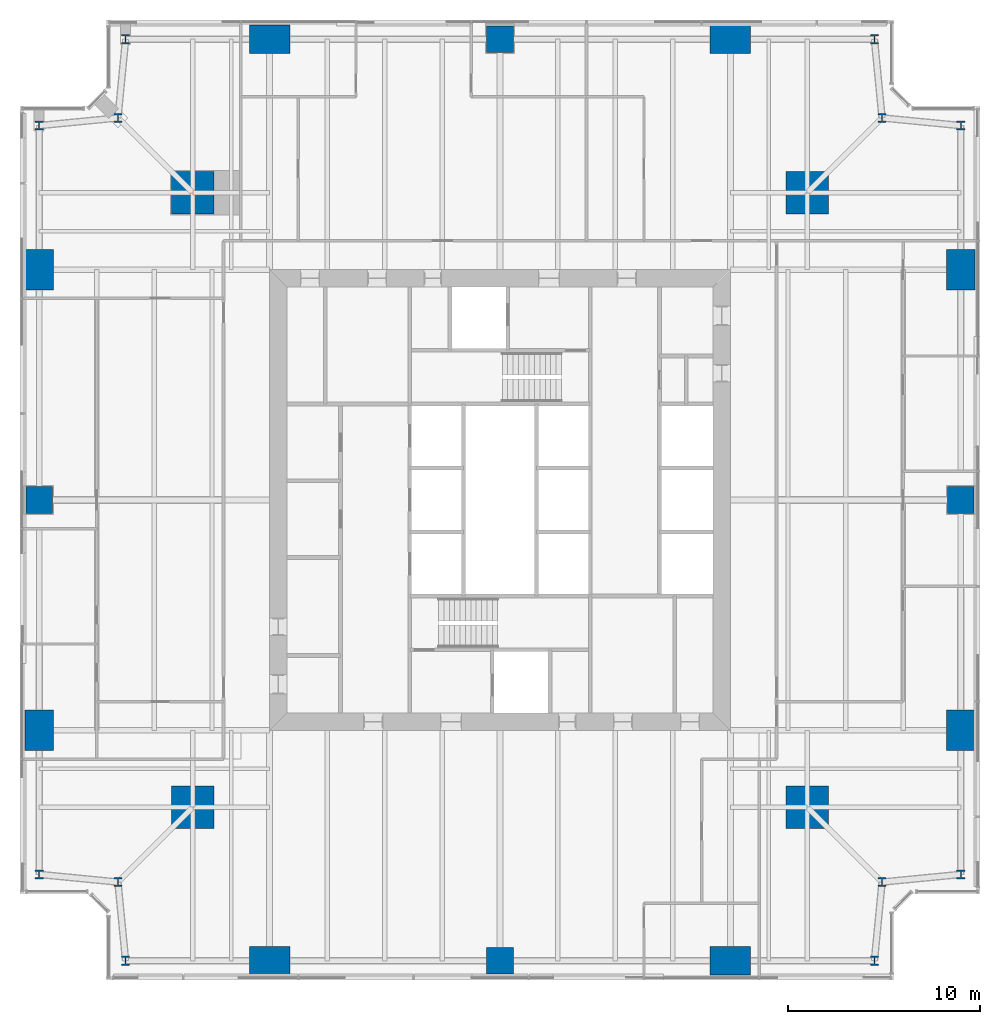
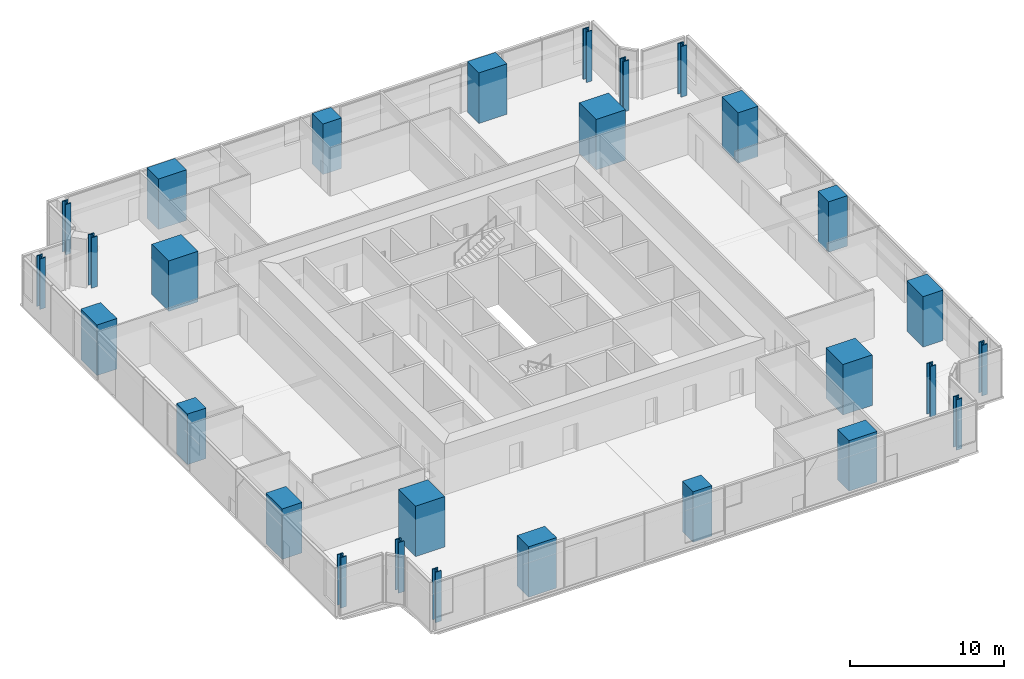
# One storey, part 1 of 14: 28 columns.
"""IFC4 building model written with IfcOpenShell, lengths in metres."""

from ifc_helpers import new_model, si_unit, direction, frame, origin, origin_2d, place, context, subcontext, project, spatial, rectangle, i_section, extrude, material, material_profile, profile_set, type_object, element, save


model = new_model("IFC4")

# Units and contexts
model_context = context("Model", 3, precision=1e-05, world=origin(), true_north=direction((0.0, 1.0)))
body_context = subcontext(model_context, "Body", "Model", "MODEL_VIEW")
ifc_project = project(units=[si_unit("LENGTHUNIT", "METRE"), si_unit("AREAUNIT", "SQUARE_METRE"), si_unit("VOLUMEUNIT", "CUBIC_METRE"), si_unit("PLANEANGLEUNIT", "RADIAN"), si_unit("MASSUNIT", "GRAM", prefix="KILO")], contexts=[model_context])

# Site, building, storey
site_placement = place(None, origin())
site = spatial("IfcSite", under=ifc_project, at=site_placement, CompositionType="ELEMENT")
building_placement = place(site_placement, origin())
building = spatial("IfcBuilding", under=site, at=building_placement, Name="Fenwick Lantern Interchange", CompositionType="ELEMENT")
storey_placement = place(building_placement, frame((0.0, 0.0, 118.39990234375)))
storey = spatial("IfcBuildingStorey", under=building, at=storey_placement, Name="L27", CompositionType="ELEMENT", Elevation=118.39990234375)

# Columns
ifc_material_1 = material(Name="Concrete f'c 70 MPa", Category="concrete")
ifc_material_profile_1 = material_profile(ifc_material_1, rectangle(XDim=2.199951171875, YDim=2.199951171875, at=origin_2d()), Name="RC2200X2200")
ifc_profile_set_1 = profile_set([ifc_material_profile_1], Name="Concrete f'c 70 MPa")
column_type_1 = type_object("IfcColumnType", Name="MEGA COLUMN RC2200X2200", PredefinedType="COLUMN", material=ifc_profile_set_1)
for number, where, z_axis, x_axis, name in (
    (1, (9.0, 9.0, 0.0), (0.0, 0.0, 1.0), (1.0, 0.0, 0.0), "L27/M1"),
    (2, (41.0, 9.0, 0.0), (0.0, 0.0, 1.0), (1.0, 0.0, 0.0), "L27/M2"),
    (3, (41.0, 41.0, 0.0), (0.0, 0.0, 1.0), (1.0, 0.0, 0.0), "L27/M3"),
    (4, (9.0, 41.0, 0.0), (0.0, 0.0, 1.0), (1.0, 0.0, 0.0), "L27/M4"),
):
    element("IfcColumn", number, at=place(storey_placement, frame(where, z_axis=z_axis, x_axis=x_axis)), inside=storey, type_object=column_type_1, Name=name, PredefinedType="COLUMN", context=body_context, shape_type="SweptSolid", body=[
        extrude(rectangle(XDim=2.199951171875, YDim=2.199951171875, at=origin_2d()), origin(), (0.0, 0.0, 1.0), 4.0),
    ])
ifc_material_profile_2 = material_profile(ifc_material_1, rectangle(XDim=1.39990234375, YDim=1.39990234375, at=origin_2d()), Name="RC1400X1400")
ifc_profile_set_2 = profile_set([ifc_material_profile_2], Name="Concrete f'c 70 MPa")
column_type_2 = type_object("IfcColumnType", Name="PERIMETER COLUMN RC1400X1400", PredefinedType="COLUMN", material=ifc_profile_set_2)
for number, where, z_axis, x_axis, name in (
    (5, (25.0, 1.0, 0.0), (0.0, 0.0, 1.0), (1.0, 0.0, 0.0), "L27/CS3"),
    (6, (49.0, 25.0, 0.0), (0.0, 0.0, 1.0), (1.0, 0.0, 0.0), "L27/CE3"),
    (7, (25.0, 49.0, 0.0), (0.0, 0.0, 1.0), (1.0, 0.0, 0.0), "L27/CN3"),
    (8, (1.0, 25.0, 0.0), (0.0, 0.0, 1.0), (1.0, 0.0, 0.0), "L27/CW3"),
):
    element("IfcColumn", number, at=place(storey_placement, frame(where, z_axis=z_axis, x_axis=x_axis)), inside=storey, type_object=column_type_2, Name=name, PredefinedType="COLUMN", context=body_context, shape_type="SweptSolid", body=[
        extrude(rectangle(XDim=1.39990234375, YDim=1.39990234375, at=origin_2d()), origin(), (0.0, 0.0, 1.0), 4.0),
    ])
ifc_material_profile_3 = material_profile(ifc_material_1, rectangle(XDim=1.5, YDim=2.10009765625, at=origin_2d()), Name="RC1500X2100")
ifc_profile_set_3 = profile_set([ifc_material_profile_3], Name="Concrete f'c 70 MPa")
column_type_3 = type_object("IfcColumnType", Name="PERIMETER COLUMN RC1500X2100", PredefinedType="COLUMN", material=ifc_profile_set_3)
for number, where, z_axis, x_axis, name in (
    (9, (49.0, 13.0, 0.0), (0.0, 0.0, 1.0), (1.0, 0.0, 0.0), "L27/CE2"),
    (10, (49.0, 37.0, 0.0), (0.0, 0.0, 1.0), (1.0, 0.0, 0.0), "L27/CE4"),
    (11, (1.0, 37.0, 0.0), (0.0, 0.0, 1.0), (1.0, 0.0, 0.0), "L27/CW2"),
    (12, (1.0, 13.0, 0.0), (0.0, 0.0, 1.0), (1.0, 0.0, 0.0), "L27/CW4"),
):
    element("IfcColumn", number, at=place(storey_placement, frame(where, z_axis=z_axis, x_axis=x_axis)), inside=storey, type_object=column_type_3, Name=name, PredefinedType="COLUMN", context=body_context, shape_type="SweptSolid", body=[
        extrude(rectangle(XDim=1.5, YDim=2.10009765625, at=origin_2d()), origin(), (0.0, 0.0, 1.0), 4.0),
    ])
ifc_material_profile_4 = material_profile(ifc_material_1, rectangle(XDim=2.10009765625, YDim=1.5, at=origin_2d()), Name="RC2100X1500")
ifc_profile_set_4 = profile_set([ifc_material_profile_4], Name="Concrete f'c 70 MPa")
column_type_4 = type_object("IfcColumnType", Name="PERIMETER COLUMN RC2100X1500", PredefinedType="COLUMN", material=ifc_profile_set_4)
for number, where, z_axis, x_axis, name in (
    (13, (13.0, 1.0, 0.0), (0.0, 0.0, 1.0), (1.0, 0.0, 0.0), "L27/CS2"),
    (14, (37.0, 1.0, 0.0), (0.0, 0.0, 1.0), (1.0, 0.0, 0.0), "L27/CS4"),
    (15, (37.0, 49.0, 0.0), (0.0, 0.0, 1.0), (1.0, 0.0, 0.0), "L27/CN2"),
    (16, (13.0, 49.0, 0.0), (0.0, 0.0, 1.0), (1.0, 0.0, 0.0), "L27/CN4"),
):
    element("IfcColumn", number, at=place(storey_placement, frame(where, z_axis=z_axis, x_axis=x_axis)), inside=storey, type_object=column_type_4, Name=name, PredefinedType="COLUMN", context=body_context, shape_type="SweptSolid", body=[
        extrude(rectangle(XDim=2.10009765625, YDim=1.5, at=origin_2d()), origin(), (0.0, 0.0, 1.0), 4.0),
    ])
ifc_material_2 = material(Name="Steel ASTM A992 Grade 50", Category="steel")
ifc_material_profile_5 = material_profile(ifc_material_2, i_section(OverallWidth=0.424072265625, OverallDepth=0.47509765625, WebThickness=0.0478515625, FlangeThickness=0.0771484375, at=origin_2d()), Name="W14X426")
ifc_profile_set_5 = profile_set([ifc_material_profile_5], Name="Steel ASTM A992 Grade 50")
column_type_5 = type_object("IfcColumnType", Name="PERIMETER COLUMN W14X426", PredefinedType="COLUMN", material=ifc_profile_set_5)
for number, where, z_axis, x_axis, name in (
    (17, (5.5, 1.0, 0.0), (0.0, 0.0, 1.0), (1.0, 0.0, 0.0), "L27/CS1"),
    (18, (44.5, 1.0, 0.0), (0.0, 0.0, 1.0), (1.0, 0.0, 0.0), "L27/CS5"),
    (19, (44.89990234375, 5.10009765625, 0.0), (0.0, 0.0, 1.0), (1.0, 0.0, 0.0), "L27/CSR"),
    (20, (49.0, 5.5, 0.0), (0.0, 0.0, 1.0), (1.0, 0.0, 0.0), "L27/CE1"),
    (21, (49.0, 44.5, 0.0), (0.0, 0.0, 1.0), (1.0, 0.0, 0.0), "L27/CE5"),
    (22, (44.89990234375, 44.89990234375, 0.0), (0.0, 0.0, 1.0), (1.0, 0.0, 0.0), "L27/CER"),
    (23, (44.5, 49.0, 0.0), (0.0, 0.0, 1.0), (1.0, 0.0, 0.0), "L27/CN1"),
    (24, (5.5, 49.0, 0.0), (0.0, 0.0, 1.0), (1.0, 0.0, 0.0), "L27/CN5"),
    (25, (5.10009765625, 44.89990234375, 0.0), (0.0, 0.0, 1.0), (1.0, 0.0, 0.0), "L27/CNR"),
    (26, (1.0, 44.5, 0.0), (0.0, 0.0, 1.0), (1.0, 0.0, 0.0), "L27/CW1"),
    (27, (1.0, 5.5, 0.0), (0.0, 0.0, 1.0), (1.0, 0.0, 0.0), "L27/CW5"),
    (28, (5.10009765625, 5.10009765625, 0.0), (0.0, 0.0, 1.0), (1.0, 0.0, 0.0), "L27/CWR"),
):
    element("IfcColumn", number, at=place(storey_placement, frame(where, z_axis=z_axis, x_axis=x_axis)), inside=storey, type_object=column_type_5, Name=name, PredefinedType="COLUMN", context=body_context, shape_type="SweptSolid", body=[
        extrude(i_section(OverallWidth=0.424072265625, OverallDepth=0.47509765625, WebThickness=0.0478515625, FlangeThickness=0.0771484375, at=origin_2d()), origin(), (0.0, 0.0, 1.0), 4.0),
    ])

save(model, "model.ifc")
